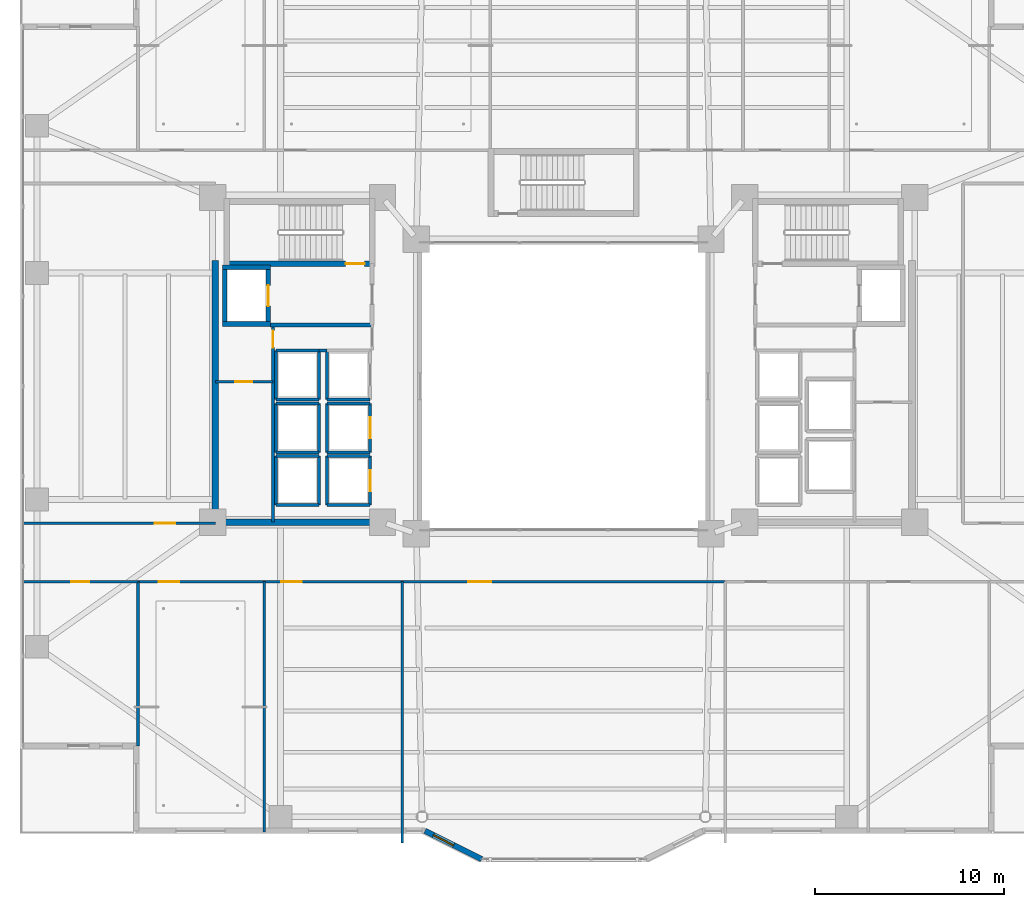
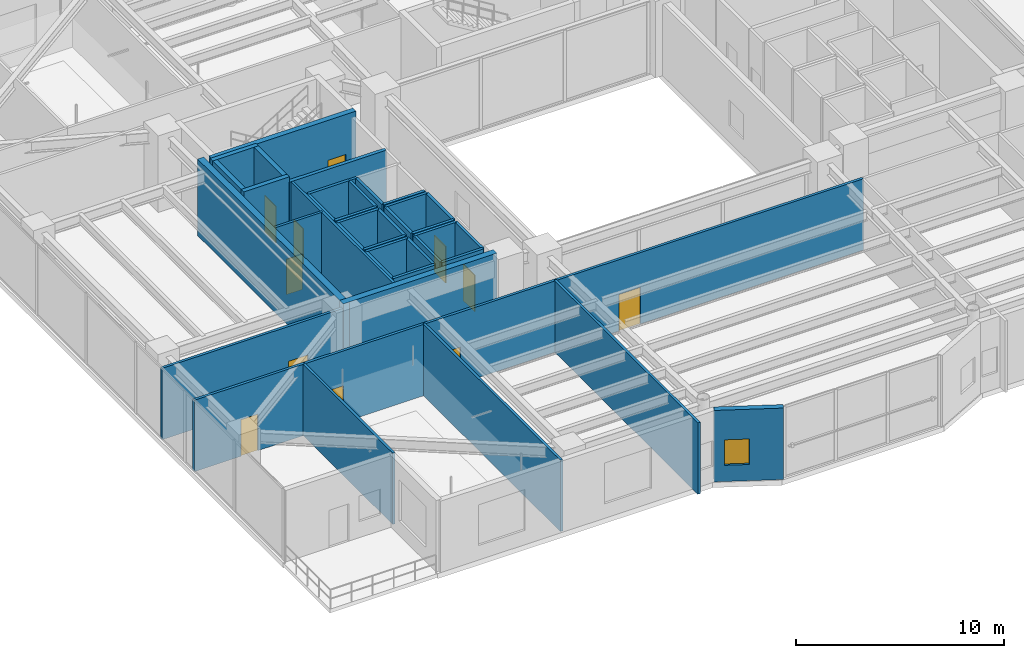
# One storey, part 29 of 40: 41 walls, 11 doors, 1 window, 12 openings.
"""IFC4 building model written with IfcOpenShell, lengths in metres."""

from ifc_helpers import new_model, si_unit, direction, frame, frame_2d, origin, place, context, subcontext, project, spatial, rectangle, extrude, material, layer, layer_set, type_object, element, fill, save


model = new_model("IFC4")

# Units and contexts
model_context = context("Model", 3, precision=1e-05, world=origin(), true_north=direction((0.0, 1.0)))
body_context = subcontext(model_context, "Body", "Model", "MODEL_VIEW")
ifc_project = project(units=[si_unit("LENGTHUNIT", "METRE"), si_unit("AREAUNIT", "SQUARE_METRE"), si_unit("VOLUMEUNIT", "CUBIC_METRE"), si_unit("PLANEANGLEUNIT", "RADIAN"), si_unit("MASSUNIT", "GRAM", prefix="KILO")], contexts=[model_context])

# Site, building, storey
site_placement = place(None, origin())
site = spatial("IfcSite", under=ifc_project, at=site_placement, CompositionType="ELEMENT")
building_placement = place(site_placement, origin())
building = spatial("IfcBuilding", under=site, at=building_placement, Name="Tarnavaz Court Tower", CompositionType="ELEMENT")
storey_placement = place(building_placement, frame((0.0, 0.0, 64.199951171875)))
storey = spatial("IfcBuildingStorey", under=building, at=storey_placement, Name="L17", CompositionType="ELEMENT", Elevation=64.199951171875)

# Wall
ifc_material_1 = material(Name="Concrete C60/75", Category="concrete")
ifc_layer_1 = layer(ifc_material_1, 0.25)
ifc_layer_set_1 = layer_set([ifc_layer_1], Name="Concrete C60/75")
wall_type_1 = type_object("IfcWallType", Name="WL-CORE-250-C60", PredefinedType="SHEAR", material=ifc_layer_set_1)
wall_1_placement = place(storey_placement, frame((-17.949951171875, 3.175048828125, 0.0), z_axis=(0.0, 0.0, 1.0), x_axis=(0.0, 1.0, 0.0)))
element("IfcWall", 1, at=wall_1_placement, inside=storey, type_object=wall_type_1, Name="L17 Lift FL-W1 Shaft Wall 017", PredefinedType="SHEAR", context=body_context, shape_type="SweptSolid", body=[
    extrude(rectangle(XDim=3.25, YDim=0.25, at=frame_2d((1.625, 0.0))), origin(), (0.0, 0.0, 1.0), 4.5),
])

# Wall, opening, door
wall_2_placement = place(storey_placement, frame((-15.64990234375, 3.175048828125, 0.0), z_axis=(0.0, 0.0, 1.0), x_axis=(0.0, 1.0, 0.0)))
wall_2 = element("IfcWall", 2, at=wall_2_placement, inside=storey, type_object=wall_type_1, Name="L17 Lift FL-W1 Shaft Wall 018", PredefinedType="SHEAR", context=body_context, shape_type="SweptSolid", body=[
    extrude(rectangle(XDim=3.25, YDim=0.25, at=frame_2d((1.625, 0.0))), origin(), (0.0, 0.0, 1.0), 4.5),
])
opening_1_placement = place(wall_2_placement, frame((1.074951171875, 0.0, 0.0)))
opening_1 = element("IfcOpeningElement", 3, at=opening_1_placement, cuts=wall_2, Name="Opening LD1", PredefinedType="OPENING", context=body_context, shape_type="SweptSolid", body=[
    extrude(rectangle(XDim=1.10009765625, YDim=2.14990234375, at=frame_2d((0.550048828125, 1.074951171875))), frame((0.0, 0.135009765625, 0.0), z_axis=(0.0, -1.0, 0.0), x_axis=(1.0, 0.0, 0.0)), (0.0, 0.0, 1.0), 0.27001953125),
])
ifc_material_2 = material(Name="Stainless Steel", Category="steel")
door_type_1 = type_object("IfcDoorType", Name="DR-LD-1100", OperationType="NOTDEFINED", PredefinedType="DOOR", material=ifc_material_2)
door_1_placement = place(opening_1_placement, origin())
door_1 = element("IfcDoor", 4, at=door_1_placement, inside=storey, type_object=door_type_1, Name="L17 Lift Landing Door LD-FL-W1", OperationType="SLIDING_TO_LEFT", OverallHeight=2.14990234375, OverallWidth=1.10009765625, PredefinedType="DOOR", context=body_context, shape_type="SweptSolid", body=[
    extrude(rectangle(XDim=1.10009765625, YDim=2.14990234375, at=frame_2d((0.550048828125, 1.074951171875))), frame((0.0, 0.02490234375, 0.0), z_axis=(0.0, -1.0, 0.0), x_axis=(1.0, 0.0, 0.0)), (0.0, 0.0, 1.0), 0.050048828125),
])
fill(opening_1, door_1)

# Walls
for number, where, z_axis, x_axis, name in (
    (5, (-18.074951171875, 3.300048828125, 0.0), (0.0, 0.0, 1.0), (1.0, 0.0, 0.0), "L17 Lift FL-W1 Shaft Wall 019"),
    (6, (-18.074951171875, 6.300048828125, 0.0), (0.0, 0.0, 1.0), (1.0, 0.0, 0.0), "L17 Lift FL-W1 Shaft Wall 020"),
):
    element("IfcWall", number, at=place(storey_placement, frame(where, z_axis=z_axis, x_axis=x_axis)), inside=storey, type_object=wall_type_1, Name=name, PredefinedType="SHEAR", context=body_context, shape_type="SweptSolid", body=[
        extrude(rectangle(XDim=2.550048828125, YDim=0.25, at=frame_2d((1.27490234375, 0.0))), origin(), (0.0, 0.0, 1.0), 4.5),
    ])

# Wall, opening, door
ifc_layer_2 = layer(ifc_material_1, 0.300048828125)
ifc_layer_set_2 = layer_set([ifc_layer_2], Name="Concrete C60/75")
wall_type_2 = type_object("IfcWallType", Name="WL-CORE-300-C60", PredefinedType="SHEAR", material=ifc_layer_set_2)
wall_3_placement = place(storey_placement, frame((-18.0, 6.5, 0.0), z_axis=(0.0, 0.0, 1.0), x_axis=(1.0, 0.0, 0.0)))
wall_3 = element("IfcWall", 7, at=wall_3_placement, inside=storey, type_object=wall_type_2, Name="L17 West Stair Core Wall 002", PredefinedType="SHEAR", context=body_context, shape_type="SweptSolid", body=[
    extrude(rectangle(XDim=8.0, YDim=0.300048828125, at=frame_2d((4.0, 0.0))), origin(), (0.0, 0.0, 1.0), 4.5),
])
opening_2_placement = place(wall_3_placement, frame((6.449951171875, 0.0, 0.0)))
opening_2 = element("IfcOpeningElement", 8, at=opening_2_placement, cuts=wall_3, Name="Opening D01", PredefinedType="OPENING", context=body_context, shape_type="SweptSolid", body=[
    extrude(rectangle(XDim=1.0, YDim=2.14990234375, at=frame_2d((0.5, 1.074951171875))), frame((0.0, 0.159912109375, 0.0), z_axis=(0.0, -1.0, 0.0), x_axis=(1.0, 0.0, 0.0)), (0.0, 0.0, 1.0), 0.320068359375),
])
ifc_material_3 = material(Name="Fire-Rated Hardwood Timber Core", Category="wood")
door_type_2 = type_object("IfcDoorType", Name="DR-FD90-1000", OperationType="NOTDEFINED", PredefinedType="DOOR", material=ifc_material_3)
door_2_placement = place(opening_2_placement, origin())
door_2 = element("IfcDoor", 9, at=door_2_placement, inside=storey, type_object=door_type_2, Name="L17 Stair ST-W1 Exit Door", OperationType="SINGLE_SWING_LEFT", OverallHeight=2.14990234375, OverallWidth=1.0, PredefinedType="DOOR", context=body_context, shape_type="SweptSolid", body=[
    extrude(rectangle(XDim=1.0, YDim=2.14990234375, at=frame_2d((0.5, 1.074951171875))), frame((0.0, 0.02490234375, 0.0), z_axis=(0.0, -1.0, 0.0), x_axis=(1.0, 0.0, 0.0)), (0.0, 0.0, 1.0), 0.050048828125),
])
fill(opening_2, door_2)

# Walls
ifc_layer_3 = layer(ifc_material_1, 0.35009765625)
ifc_layer_set_3 = layer_set([ifc_layer_3], Name="Concrete C60/75")
wall_type_3 = type_object("IfcWallType", Name="WL-CORE-350-C60", PredefinedType="SHEAR", material=ifc_layer_set_3)
wall_4_placement = place(storey_placement, frame((-18.449951171875, -7.375, 0.0), z_axis=(0.0, 0.0, 1.0), x_axis=(0.0, 1.0, 0.0)))
element("IfcWall", 10, at=wall_4_placement, inside=storey, type_object=wall_type_3, Name="L17 West Core Shear Wall 069", PredefinedType="SHEAR", context=body_context, shape_type="SweptSolid", body=[
    extrude(rectangle(XDim=14.050048828125, YDim=0.35009765625, at=frame_2d((7.02490234375, 0.0))), origin(), (0.0, 0.0, 1.0), 4.5),
])
wall_5_placement = place(storey_placement, frame((-18.625, -7.199951171875, 0.0), z_axis=(0.0, 0.0, 1.0), x_axis=(1.0, 0.0, 0.0)))
element("IfcWall", 11, at=wall_5_placement, inside=storey, type_object=wall_type_3, Name="L17 West Core South Shear Wall 070", PredefinedType="SHEAR", context=body_context, shape_type="SweptSolid", body=[
    extrude(rectangle(XDim=8.550048828125, YDim=0.35009765625, at=frame_2d((4.27490234375, 0.0))), origin(), (0.0, 0.0, 1.0), 4.5),
])

# Wall, opening, window
ifc_material_4 = material(Name="Precast Concrete C40/50", Category="concrete")
ifc_layer_4 = layer(ifc_material_4, 0.300048828125)
ifc_layer_set_4 = layer_set([ifc_layer_4], Name="Precast Concrete C40/50")
wall_type_4 = type_object("IfcWallType", Name="WL-EXT-300", PredefinedType="SOLIDWALL", material=ifc_layer_set_4)
wall_6_placement = place(storey_placement, frame((-4.35009765625, -25.050048828125, 0.0), z_axis=(0.0, 0.0, 1.0), x_axis=(-0.894427191, 0.4472135955, 0.0)))
wall_6 = element("IfcWall", 12, at=wall_6_placement, inside=storey, type_object=wall_type_4, Name="L17 Exterior Terracotta Facade Wall 18", PredefinedType="SOLIDWALL", context=body_context, shape_type="SweptSolid", body=[
    extrude(rectangle(XDim=3.35400390625, YDim=0.300048828125, at=frame_2d((1.677001953125, 0.0))), origin(), (0.0, 0.0, 1.0), 4.199951171875),
])
opening_3_placement = place(wall_6_placement, frame((1.65283203125, 0.0, 0.949951171875)))
opening_3 = element("IfcOpeningElement", 13, at=opening_3_placement, cuts=wall_6, Name="Opening W05", PredefinedType="OPENING", context=body_context, shape_type="SweptSolid", body=[
    extrude(rectangle(XDim=1.199951171875, YDim=1.5, at=frame_2d((0.60009765625, 0.75))), frame((0.0, 0.159912109375, 0.0), z_axis=(0.0, -1.0, 0.0), x_axis=(1.0, 0.0, 0.0)), (0.0, 0.0, 1.0), 0.320068359375),
])
ifc_material_5 = material(Name="Double-Glazed Solar Low-E Glass", Category="glass")
window_type = type_object("IfcWindowType", Name="WN-APT-1200", PartitioningType="SINGLE_PANEL", PredefinedType="WINDOW", material=ifc_material_5)
window_placement = place(opening_3_placement, origin())
window = element("IfcWindow", 14, at=window_placement, inside=storey, type_object=window_type, Name="L17 L17 Central Iwan Cultural Exhibition Hall Window", OverallHeight=1.5, OverallWidth=1.199951171875, PartitioningType="SINGLE_PANEL", PredefinedType="WINDOW", context=body_context, shape_type="SweptSolid", body=[
    extrude(rectangle(XDim=1.199951171875, YDim=1.5, at=frame_2d((0.60009765625, 0.75))), frame((0.0, 0.030029296875, 0.0), z_axis=(0.0, -1.0, 0.0), x_axis=(1.0, 0.0, 0.0)), (0.0, 0.0, 1.0), 0.06005859375),
])
fill(opening_3, window)

# Wall, openings, doors
ifc_material_6 = material(Name="Gypsum Fire-Board on Acoustic Metal Stud", Category="masonry")
ifc_layer_5 = layer(ifc_material_6, 0.14990234375)
ifc_layer_set_5 = layer_set([ifc_layer_5], Name="Gypsum Fire-Board on Acoustic Metal Stud")
wall_type_5 = type_object("IfcWallType", Name="WL-FIRE-150", PredefinedType="PARTITIONING", material=ifc_layer_set_5)
wall_7_placement = place(storey_placement, frame((-22.550048828125, -10.35009765625, 0.0), z_axis=(0.0, 0.0, 1.0), x_axis=(1.0, 0.0, 0.0)))
wall_7 = element("IfcWall", 15, at=wall_7_placement, inside=storey, type_object=wall_type_5, Name="L17 SW Corridor Wall 084", PredefinedType="PARTITIONING", context=body_context, shape_type="SweptSolid", body=[
    extrude(rectangle(XDim=14.0, YDim=0.14990234375, at=frame_2d((7.0, 0.0))), origin(), (0.0, 0.0, 1.0), 4.199951171875),
])
opening_4_placement = place(wall_7_placement, frame((1.10009765625, 0.0, 0.0)))
opening_4 = element("IfcOpeningElement", 16, at=opening_4_placement, cuts=wall_7, Name="Opening D12", PredefinedType="OPENING", context=body_context, shape_type="SweptSolid", body=[
    extrude(rectangle(XDim=1.080078125, YDim=2.14990234375, at=frame_2d((0.5400390625, 1.074951171875))), frame((0.0, 0.0849609375, 0.0), z_axis=(0.0, -1.0, 0.0), x_axis=(1.0, 0.0, 0.0)), (0.0, 0.0, 1.0), 0.169921875),
])
opening_5_placement = place(wall_7_placement, frame((7.595947265625, 0.0, 0.0)))
opening_5 = element("IfcOpeningElement", 17, at=opening_5_placement, cuts=wall_7, Name="Opening D12", PredefinedType="OPENING", context=body_context, shape_type="SweptSolid", body=[
    extrude(rectangle(XDim=1.080078125, YDim=2.14990234375, at=frame_2d((0.5400390625, 1.074951171875))), frame((0.0, 0.0849609375, 0.0), z_axis=(0.0, -1.0, 0.0), x_axis=(1.0, 0.0, 0.0)), (0.0, 0.0, 1.0), 0.169921875),
])
ifc_material_7 = material(Name="Engineered Oak Timber", Category="wood")
door_type_3 = type_object("IfcDoorType", Name="DR-INT-1100", OperationType="NOTDEFINED", PredefinedType="DOOR", material=ifc_material_7)
door_3_placement = place(opening_4_placement, origin())
door_3 = element("IfcDoor", 18, at=door_3_placement, inside=storey, type_object=door_type_3, Name="L17 L17 Daycare Classroom Door", OperationType="SINGLE_SWING_LEFT", OverallHeight=2.14990234375, OverallWidth=1.080078125, PredefinedType="DOOR", context=body_context, shape_type="SweptSolid", body=[
    extrude(rectangle(XDim=1.080078125, YDim=2.14990234375, at=frame_2d((0.5400390625, 1.074951171875))), frame((0.0, 0.02490234375, 0.0), z_axis=(0.0, -1.0, 0.0), x_axis=(1.0, 0.0, 0.0)), (0.0, 0.0, 1.0), 0.050048828125),
])
fill(opening_4, door_3)
door_4_placement = place(opening_5_placement, origin())
door_4 = element("IfcDoor", 19, at=door_4_placement, inside=storey, type_object=door_type_3, Name="L17 SW Study Room Door", OperationType="SINGLE_SWING_RIGHT", OverallHeight=2.14990234375, OverallWidth=1.080078125, PredefinedType="DOOR", context=body_context, shape_type="SweptSolid", body=[
    extrude(rectangle(XDim=1.080078125, YDim=2.14990234375, at=frame_2d((0.5400390625, 1.074951171875))), frame((0.0, 0.02490234375, 0.0), z_axis=(0.0, -1.0, 0.0), x_axis=(1.0, 0.0, 0.0)), (0.0, 0.0, 1.0), 0.050048828125),
])
fill(opening_5, door_4)

# Wall, opening, door
wall_8_placement = place(storey_placement, frame((-8.550048828125, -10.35009765625, 0.0), z_axis=(0.0, 0.0, 1.0), x_axis=(1.0, 0.0, 0.0)))
wall_8 = element("IfcWall", 20, at=wall_8_placement, inside=storey, type_object=wall_type_5, Name="L17 South Ring Corridor Wall 085", PredefinedType="PARTITIONING", context=body_context, shape_type="SweptSolid", body=[
    extrude(rectangle(XDim=17.10009765625, YDim=0.14990234375, at=frame_2d((8.550048828125, 0.0))), origin(), (0.0, 0.0, 1.0), 4.199951171875),
])
opening_6_placement = place(wall_8_placement, frame((3.5, 0.0, 0.0)))
opening_6 = element("IfcOpeningElement", 21, at=opening_6_placement, cuts=wall_8, Name="Opening D11", PredefinedType="OPENING", context=body_context, shape_type="SweptSolid", body=[
    extrude(rectangle(XDim=1.199951171875, YDim=2.14990234375, at=frame_2d((0.60009765625, 1.074951171875))), frame((0.0, 0.0849609375, 0.0), z_axis=(0.0, -1.0, 0.0), x_axis=(1.0, 0.0, 0.0)), (0.0, 0.0, 1.0), 0.169921875),
])
door_type_4 = type_object("IfcDoorType", Name="DR-INT-1200", OperationType="NOTDEFINED", PredefinedType="DOOR", material=ifc_material_7)
door_5_placement = place(opening_6_placement, origin())
door_5 = element("IfcDoor", 22, at=door_5_placement, inside=storey, type_object=door_type_4, Name="L17 Central Iwan Hall Door", OperationType="SINGLE_SWING_LEFT", OverallHeight=2.14990234375, OverallWidth=1.199951171875, PredefinedType="DOOR", context=body_context, shape_type="SweptSolid", body=[
    extrude(rectangle(XDim=1.199951171875, YDim=2.14990234375, at=frame_2d((0.60009765625, 1.074951171875))), frame((0.0, 0.02490234375, 0.0), z_axis=(0.0, -1.0, 0.0), x_axis=(1.0, 0.0, 0.0)), (0.0, 0.0, 1.0), 0.050048828125),
])
fill(opening_6, door_5)

wall_9_placement = place(storey_placement, frame((-28.679931640625, -7.25, 0.0), z_axis=(0.0, 0.0, 1.0), x_axis=(1.0, 0.0, 0.0)))
wall_9 = element("IfcWall", 23, at=wall_9_placement, inside=storey, type_object=wall_type_5, Name="L17 Interior Partition 097", PredefinedType="PARTITIONING", context=body_context, shape_type="SweptSolid", body=[
    extrude(rectangle(XDim=10.22998046875, YDim=0.14990234375, at=frame_2d((5.114990234375, 0.0))), origin(), (0.0, 0.0, 1.0), 4.199951171875),
])
opening_7_placement = place(wall_9_placement, frame((7.030029296875, 0.0, 0.0)))
opening_7 = element("IfcOpeningElement", 24, at=opening_7_placement, cuts=wall_9, Name="Opening D12", PredefinedType="OPENING", context=body_context, shape_type="SweptSolid", body=[
    extrude(rectangle(XDim=1.080078125, YDim=2.14990234375, at=frame_2d((0.5400390625, 1.074951171875))), frame((0.0, 0.0849609375, 0.0), z_axis=(0.0, -1.0, 0.0), x_axis=(1.0, 0.0, 0.0)), (0.0, 0.0, 1.0), 0.169921875),
])
door_6_placement = place(opening_7_placement, origin())
door_6 = element("IfcDoor", 25, at=door_6_placement, inside=storey, type_object=door_type_3, Name="L17 West Panoramic Lounge Door", OperationType="SINGLE_SWING_RIGHT", OverallHeight=2.14990234375, OverallWidth=1.080078125, PredefinedType="DOOR", context=body_context, shape_type="SweptSolid", body=[
    extrude(rectangle(XDim=1.080078125, YDim=2.14990234375, at=frame_2d((0.5400390625, 1.074951171875))), frame((0.0, 0.02490234375, 0.0), z_axis=(0.0, -1.0, 0.0), x_axis=(1.0, 0.0, 0.0)), (0.0, 0.0, 1.0), 0.050048828125),
])
fill(opening_7, door_6)

wall_10_placement = place(storey_placement, frame((-28.679931640625, -10.35009765625, 0.0), z_axis=(0.0, 0.0, 1.0), x_axis=(1.0, 0.0, 0.0)))
wall_10 = element("IfcWall", 26, at=wall_10_placement, inside=storey, type_object=wall_type_5, Name="L17 Interior Partition 107", PredefinedType="PARTITIONING", context=body_context, shape_type="SweptSolid", body=[
    extrude(rectangle(XDim=6.1298828125, YDim=0.14990234375, at=frame_2d((3.06494140625, 0.0))), origin(), (0.0, 0.0, 1.0), 4.199951171875),
])
opening_8_placement = place(wall_10_placement, frame((2.590087890625, 0.0, 0.0)))
opening_8 = element("IfcOpeningElement", 27, at=opening_8_placement, cuts=wall_10, Name="Opening D13", PredefinedType="OPENING", context=body_context, shape_type="SweptSolid", body=[
    extrude(rectangle(XDim=0.949951171875, YDim=2.14990234375, at=frame_2d((0.47509765625, 1.074951171875))), frame((0.0, 0.0849609375, 0.0), z_axis=(0.0, -1.0, 0.0), x_axis=(1.0, 0.0, 0.0)), (0.0, 0.0, 1.0), 0.169921875),
])
door_type_5 = type_object("IfcDoorType", Name="DR-INT-950", OperationType="NOTDEFINED", PredefinedType="DOOR", material=ifc_material_7)
door_7_placement = place(opening_8_placement, origin())
door_7 = element("IfcDoor", 28, at=door_7_placement, inside=storey, type_object=door_type_5, Name="L17 SW Terrace Salon Door", OperationType="SINGLE_SWING_RIGHT", OverallHeight=2.14990234375, OverallWidth=0.949951171875, PredefinedType="DOOR", context=body_context, shape_type="SweptSolid", body=[
    extrude(rectangle(XDim=0.949951171875, YDim=2.14990234375, at=frame_2d((0.47509765625, 1.074951171875))), frame((0.0, 0.02490234375, 0.0), z_axis=(0.0, -1.0, 0.0), x_axis=(1.0, 0.0, 0.0)), (0.0, 0.0, 1.0), 0.050048828125),
])
fill(opening_8, door_7)

# Walls
ifc_material_8 = material(Name="Autoclaved Aerated Concrete Blockwork", Category="masonry")
ifc_layer_6 = layer(ifc_material_8, 0.199951171875)
ifc_layer_set_6 = layer_set([ifc_layer_6], Name="Autoclaved Aerated Concrete Blockwork")
wall_type_6 = type_object("IfcWallType", Name="WL-FIRE-200", PredefinedType="SOLIDWALL", material=ifc_layer_set_6)
wall_11_placement = place(storey_placement, frame((-15.550048828125, 3.25, 0.0), z_axis=(0.0, 0.0, 1.0), x_axis=(1.0, 0.0, 0.0)))
element("IfcWall", 29, at=wall_11_placement, inside=storey, type_object=wall_type_6, Name="L17 West Firefighting Lobby Wall 013", PredefinedType="SOLIDWALL", context=body_context, shape_type="SweptSolid", body=[
    extrude(rectangle(XDim=5.400146484375, YDim=0.199951171875, at=frame_2d((2.7001953125, 0.0))), origin(), (0.0, 0.0, 1.0), 4.199951171875),
])
ifc_material_9 = material(Name="Gypsum Plasterboard Acoustic Partition", Category="masonry")
ifc_layer_7 = layer(ifc_material_9, 0.139892578125)
ifc_layer_set_7 = layer_set([ifc_layer_7], Name="Gypsum Plasterboard Acoustic Partition")
wall_type_7 = type_object("IfcWallType", Name="WL-PART-150", PredefinedType="PARTITIONING", material=ifc_layer_set_7)
wall_12_placement = place(storey_placement, frame((-12.949951171875, 1.89990234375, 0.0), z_axis=(0.0, 0.0, 1.0), x_axis=(1.0, 0.0, 0.0)))
element("IfcWall", 30, at=wall_12_placement, inside=storey, type_object=wall_type_7, Name="L17 Interior Partition 073", PredefinedType="PARTITIONING", context=body_context, shape_type="SweptSolid", body=[
    extrude(rectangle(XDim=0.39990234375, YDim=0.139892578125, at=frame_2d((0.199951171875, 0.0))), origin(), (0.0, 0.0, 1.0), 4.199951171875),
])

# Wall, opening, door
wall_13_placement = place(storey_placement, frame((-15.39990234375, -7.199951171875, 0.0), z_axis=(0.0, 0.0, 1.0), x_axis=(0.0, 1.0, 0.0)))
wall_13 = element("IfcWall", 31, at=wall_13_placement, inside=storey, type_object=wall_type_7, Name="L17 Interior Partition 075", PredefinedType="PARTITIONING", context=body_context, shape_type="SweptSolid", body=[
    extrude(rectangle(XDim=10.449951171875, YDim=0.139892578125, at=frame_2d((5.22509765625, 0.0))), origin(), (0.0, 0.0, 1.0), 4.199951171875),
])
opening_9_placement = place(wall_13_placement, frame((9.25, 0.0, 0.0)))
opening_9 = element("IfcOpeningElement", 32, at=opening_9_placement, cuts=wall_13, Name="Opening D09", PredefinedType="OPENING", context=body_context, shape_type="SweptSolid", body=[
    extrude(rectangle(XDim=0.89990234375, YDim=2.080078125, at=frame_2d((0.449951171875, 1.0400390625))), frame((0.0, 0.079833984375, 0.0), z_axis=(0.0, -1.0, 0.0), x_axis=(1.0, 0.0, 0.0)), (0.0, 0.0, 1.0), 0.159912109375),
])
door_type_6 = type_object("IfcDoorType", Name="DR-FD30-900", OperationType="NOTDEFINED", PredefinedType="DOOR", material=ifc_material_3)
door_8_placement = place(opening_9_placement, origin())
door_8 = element("IfcDoor", 33, at=door_8_placement, inside=storey, type_object=door_type_6, Name="L17 West Data Room Door", OperationType="SINGLE_SWING_RIGHT", OverallHeight=2.080078125, OverallWidth=0.89990234375, PredefinedType="DOOR", context=body_context, shape_type="SweptSolid", body=[
    extrude(rectangle(XDim=0.89990234375, YDim=2.080078125, at=frame_2d((0.449951171875, 1.0400390625))), frame((0.0, 0.02490234375, 0.0), z_axis=(0.0, -1.0, 0.0), x_axis=(1.0, 0.0, 0.0)), (0.0, 0.0, 1.0), 0.050048828125),
])
fill(opening_9, door_8)

wall_14_placement = place(storey_placement, frame((-18.449951171875, 0.25, 0.0), z_axis=(0.0, 0.0, 1.0), x_axis=(1.0, 0.0, 0.0)))
wall_14 = element("IfcWall", 34, at=wall_14_placement, inside=storey, type_object=wall_type_7, Name="L17 Interior Partition 076", PredefinedType="PARTITIONING", context=body_context, shape_type="SweptSolid", body=[
    extrude(rectangle(XDim=3.050048828125, YDim=0.139892578125, at=frame_2d((1.52490234375, 0.0))), origin(), (0.0, 0.0, 1.0), 4.199951171875),
])
opening_10_placement = place(wall_14_placement, frame((1.050048828125, 0.0, 0.0)))
opening_10 = element("IfcOpeningElement", 35, at=opening_10_placement, cuts=wall_14, Name="Opening D09", PredefinedType="OPENING", context=body_context, shape_type="SweptSolid", body=[
    extrude(rectangle(XDim=0.89990234375, YDim=2.080078125, at=frame_2d((0.449951171875, 1.0400390625))), frame((0.0, 0.079833984375, 0.0), z_axis=(0.0, -1.0, 0.0), x_axis=(1.0, 0.0, 0.0)), (0.0, 0.0, 1.0), 0.159912109375),
])
door_9_placement = place(opening_10_placement, origin())
door_9 = element("IfcDoor", 36, at=door_9_placement, inside=storey, type_object=door_type_6, Name="L17 West Mechanical Riser Door", OperationType="SINGLE_SWING_LEFT", OverallHeight=2.080078125, OverallWidth=0.89990234375, PredefinedType="DOOR", context=body_context, shape_type="SweptSolid", body=[
    extrude(rectangle(XDim=0.89990234375, YDim=2.080078125, at=frame_2d((0.449951171875, 1.0400390625))), frame((0.0, 0.02490234375, 0.0), z_axis=(0.0, -1.0, 0.0), x_axis=(1.0, 0.0, 0.0)), (0.0, 0.0, 1.0), 0.050048828125),
])
fill(opening_10, door_9)

# Walls
wall_15_placement = place(storey_placement, frame((-15.85400390625, -23.60009765625, 0.0), z_axis=(0.0, 0.0, 1.0), x_axis=(0.0, 1.0, 0.0)))
element("IfcWall", 37, at=wall_15_placement, inside=storey, type_object=wall_type_7, Name="L17 Interior Partition 093", PredefinedType="PARTITIONING", context=body_context, shape_type="SweptSolid", body=[
    extrude(rectangle(XDim=13.25, YDim=0.139892578125, at=frame_2d((6.625, 0.0))), origin(), (0.0, 0.0, 1.0), 4.199951171875),
])
wall_16_placement = place(storey_placement, frame((-8.550048828125, -24.2041015625, 0.0), z_axis=(0.0, 0.0, 1.0), x_axis=(0.0, 1.0, 0.0)))
element("IfcWall", 38, at=wall_16_placement, inside=storey, type_object=wall_type_7, Name="L17 Interior Partition 094", PredefinedType="PARTITIONING", context=body_context, shape_type="SweptSolid", body=[
    extrude(rectangle(XDim=13.85400390625, YDim=0.139892578125, at=frame_2d((6.927001953125, 0.0))), origin(), (0.0, 0.0, 1.0), 4.199951171875),
])
wall_17_placement = place(storey_placement, frame((-22.550048828125, -19.050048828125, 0.0), z_axis=(0.0, 0.0, 1.0), x_axis=(0.0, 1.0, 0.0)))
element("IfcWall", 39, at=wall_17_placement, inside=storey, type_object=wall_type_7, Name="L17 Interior Partition 101", PredefinedType="PARTITIONING", context=body_context, shape_type="SweptSolid", body=[
    extrude(rectangle(XDim=8.699951171875, YDim=0.139892578125, at=frame_2d((4.35009765625, 0.0))), origin(), (0.0, 0.0, 1.0), 4.199951171875),
])
ifc_layer_8 = layer(ifc_material_8, 0.159912109375)
ifc_layer_set_8 = layer_set([ifc_layer_8], Name="Autoclaved Aerated Concrete Blockwork")
wall_type_8 = type_object("IfcWallType", Name="WL-SHAFT-150", PredefinedType="SOLIDWALL", material=ifc_layer_set_8)
wall_18_placement = place(storey_placement, frame((-12.550048828125, -6.300048828125, 0.0), z_axis=(0.0, 0.0, 1.0), x_axis=(0.0, 1.0, 0.0)))
element("IfcWall", 40, at=wall_18_placement, inside=storey, type_object=wall_type_8, Name="L17 Lift PL-L1 Shaft Wall 021", PredefinedType="SOLIDWALL", context=body_context, shape_type="SweptSolid", body=[
    extrude(rectangle(XDim=2.60009765625, YDim=0.159912109375, at=frame_2d((1.300048828125, 0.0))), origin(), (0.0, 0.0, 1.0), 4.199951171875),
])

# Wall, opening, door
wall_19_placement = place(storey_placement, frame((-10.25, -6.300048828125, 0.0), z_axis=(0.0, 0.0, 1.0), x_axis=(0.0, 1.0, 0.0)))
wall_19 = element("IfcWall", 41, at=wall_19_placement, inside=storey, type_object=wall_type_8, Name="L17 Lift PL-L1 Shaft Wall 022", PredefinedType="SOLIDWALL", context=body_context, shape_type="SweptSolid", body=[
    extrude(rectangle(XDim=2.60009765625, YDim=0.159912109375, at=frame_2d((1.300048828125, 0.0))), origin(), (0.0, 0.0, 1.0), 4.199951171875),
])
opening_11_placement = place(wall_19_placement, frame((0.75, 0.0, 0.0)))
opening_11 = element("IfcOpeningElement", 42, at=opening_11_placement, cuts=wall_19, Name="Opening LD1", PredefinedType="OPENING", context=body_context, shape_type="SweptSolid", body=[
    extrude(rectangle(XDim=1.10009765625, YDim=2.14990234375, at=frame_2d((0.550048828125, 1.074951171875))), frame((0.0, 0.08984375, 0.0), z_axis=(0.0, -1.0, 0.0), x_axis=(1.0, 0.0, 0.0)), (0.0, 0.0, 1.0), 0.179931640625),
])
door_10_placement = place(opening_11_placement, origin())
door_10 = element("IfcDoor", 43, at=door_10_placement, inside=storey, type_object=door_type_1, Name="L17 Lift Landing Door LD-PL-L1", OperationType="SLIDING_TO_LEFT", OverallHeight=2.14990234375, OverallWidth=1.10009765625, PredefinedType="DOOR", context=body_context, shape_type="SweptSolid", body=[
    extrude(rectangle(XDim=1.10009765625, YDim=2.14990234375, at=frame_2d((0.550048828125, 1.074951171875))), frame((0.0, 0.02490234375, 0.0), z_axis=(0.0, -1.0, 0.0), x_axis=(1.0, 0.0, 0.0)), (0.0, 0.0, 1.0), 0.050048828125),
])
fill(opening_11, door_10)

# Walls
for number, where, z_axis, x_axis, name in (
    (44, (-12.550048828125, -6.300048828125, 0.0), (0.0, 0.0, 1.0), (1.0, 0.0, 0.0), "L17 Lift PL-L1 Shaft Wall 023"),
    (45, (-12.550048828125, -3.699951171875, 0.0), (0.0, 0.0, 1.0), (1.0, 0.0, 0.0), "L17 Lift PL-L1 Shaft Wall 024"),
):
    element("IfcWall", number, at=place(storey_placement, frame(where, z_axis=z_axis, x_axis=x_axis)), inside=storey, type_object=wall_type_8, Name=name, PredefinedType="SOLIDWALL", context=body_context, shape_type="SweptSolid", body=[
        extrude(rectangle(XDim=2.300048828125, YDim=0.159912109375, at=frame_2d((1.14990234375, 0.0))), origin(), (0.0, 0.0, 1.0), 4.199951171875),
    ])
wall_20_placement = place(storey_placement, frame((-12.550048828125, -3.5, 0.0), z_axis=(0.0, 0.0, 1.0), x_axis=(0.0, 1.0, 0.0)))
element("IfcWall", 46, at=wall_20_placement, inside=storey, type_object=wall_type_8, Name="L17 Lift PL-L2 Shaft Wall 025", PredefinedType="SOLIDWALL", context=body_context, shape_type="SweptSolid", body=[
    extrude(rectangle(XDim=2.60009765625, YDim=0.159912109375, at=frame_2d((1.300048828125, 0.0))), origin(), (0.0, 0.0, 1.0), 4.199951171875),
])

# Wall, opening, door
wall_21_placement = place(storey_placement, frame((-10.25, -3.5, 0.0), z_axis=(0.0, 0.0, 1.0), x_axis=(0.0, 1.0, 0.0)))
wall_21 = element("IfcWall", 47, at=wall_21_placement, inside=storey, type_object=wall_type_8, Name="L17 Lift PL-L2 Shaft Wall 026", PredefinedType="SOLIDWALL", context=body_context, shape_type="SweptSolid", body=[
    extrude(rectangle(XDim=2.60009765625, YDim=0.159912109375, at=frame_2d((1.300048828125, 0.0))), origin(), (0.0, 0.0, 1.0), 4.199951171875),
])
opening_12_placement = place(wall_21_placement, frame((0.75, 0.0, 0.0)))
opening_12 = element("IfcOpeningElement", 48, at=opening_12_placement, cuts=wall_21, Name="Opening LD1", PredefinedType="OPENING", context=body_context, shape_type="SweptSolid", body=[
    extrude(rectangle(XDim=1.10009765625, YDim=2.14990234375, at=frame_2d((0.550048828125, 1.074951171875))), frame((0.0, 0.08984375, 0.0), z_axis=(0.0, -1.0, 0.0), x_axis=(1.0, 0.0, 0.0)), (0.0, 0.0, 1.0), 0.179931640625),
])
door_11_placement = place(opening_12_placement, origin())
door_11 = element("IfcDoor", 49, at=door_11_placement, inside=storey, type_object=door_type_1, Name="L17 Lift Landing Door LD-PL-L2", OperationType="SLIDING_TO_LEFT", OverallHeight=2.14990234375, OverallWidth=1.10009765625, PredefinedType="DOOR", context=body_context, shape_type="SweptSolid", body=[
    extrude(rectangle(XDim=1.10009765625, YDim=2.14990234375, at=frame_2d((0.550048828125, 1.074951171875))), frame((0.0, 0.02490234375, 0.0), z_axis=(0.0, -1.0, 0.0), x_axis=(1.0, 0.0, 0.0)), (0.0, 0.0, 1.0), 0.050048828125),
])
fill(opening_12, door_11)

# Walls
for number, where, z_axis, x_axis, name in (
    (50, (-12.550048828125, -3.5, 0.0), (0.0, 0.0, 1.0), (1.0, 0.0, 0.0), "L17 Lift PL-L2 Shaft Wall 027"),
    (51, (-12.550048828125, -0.89990234375, 0.0), (0.0, 0.0, 1.0), (1.0, 0.0, 0.0), "L17 Lift PL-L2 Shaft Wall 028"),
):
    element("IfcWall", number, at=place(storey_placement, frame(where, z_axis=z_axis, x_axis=x_axis)), inside=storey, type_object=wall_type_8, Name=name, PredefinedType="SOLIDWALL", context=body_context, shape_type="SweptSolid", body=[
        extrude(rectangle(XDim=2.300048828125, YDim=0.159912109375, at=frame_2d((1.14990234375, 0.0))), origin(), (0.0, 0.0, 1.0), 4.199951171875),
    ])
wall_22_placement = place(storey_placement, frame((-12.550048828125, -0.699951171875, 0.0), z_axis=(0.0, 0.0, 1.0), x_axis=(0.0, 1.0, 0.0)))
element("IfcWall", 52, at=wall_22_placement, inside=storey, type_object=wall_type_8, Name="L17 Lift PL-L3 Shaft Wall 029", PredefinedType="SOLIDWALL", context=body_context, shape_type="SweptSolid", body=[
    extrude(rectangle(XDim=2.599853515625, YDim=0.159912109375, at=frame_2d((1.2998046875, 0.0))), origin(), (0.0, 0.0, 1.0), 4.199951171875),
])
wall_23_placement = place(storey_placement, frame((-12.550048828125, -0.699951171875, 0.0), z_axis=(0.0, 0.0, 1.0), x_axis=(1.0, 0.0, 0.0)))
element("IfcWall", 53, at=wall_23_placement, inside=storey, type_object=wall_type_8, Name="L17 Lift PL-L3 Shaft Wall 031", PredefinedType="SOLIDWALL", context=body_context, shape_type="SweptSolid", body=[
    extrude(rectangle(XDim=2.300048828125, YDim=0.159912109375, at=frame_2d((1.14990234375, 0.0))), origin(), (0.0, 0.0, 1.0), 4.199951171875),
])
for number, where, z_axis, x_axis, name in (
    (54, (-15.25, -6.300048828125, 0.0), (0.0, 0.0, 1.0), (0.0, 1.0, 0.0), "L17 Lift PL-H1 Shaft Wall 033"),
    (55, (-12.949951171875, -6.300048828125, 0.0), (0.0, 0.0, 1.0), (0.0, 1.0, 0.0), "L17 Lift PL-H1 Shaft Wall 034"),
):
    element("IfcWall", number, at=place(storey_placement, frame(where, z_axis=z_axis, x_axis=x_axis)), inside=storey, type_object=wall_type_8, Name=name, PredefinedType="SOLIDWALL", context=body_context, shape_type="SweptSolid", body=[
        extrude(rectangle(XDim=2.60009765625, YDim=0.159912109375, at=frame_2d((1.300048828125, 0.0))), origin(), (0.0, 0.0, 1.0), 4.199951171875),
    ])
for number, where, z_axis, x_axis, name in (
    (56, (-15.25, -6.300048828125, 0.0), (0.0, 0.0, 1.0), (1.0, 0.0, 0.0), "L17 Lift PL-H1 Shaft Wall 035"),
    (57, (-15.25, -3.699951171875, 0.0), (0.0, 0.0, 1.0), (1.0, 0.0, 0.0), "L17 Lift PL-H1 Shaft Wall 036"),
):
    element("IfcWall", number, at=place(storey_placement, frame(where, z_axis=z_axis, x_axis=x_axis)), inside=storey, type_object=wall_type_8, Name=name, PredefinedType="SOLIDWALL", context=body_context, shape_type="SweptSolid", body=[
        extrude(rectangle(XDim=2.300048828125, YDim=0.159912109375, at=frame_2d((1.14990234375, 0.0))), origin(), (0.0, 0.0, 1.0), 4.199951171875),
    ])
for number, where, z_axis, x_axis, name in (
    (58, (-15.25, -3.5, 0.0), (0.0, 0.0, 1.0), (0.0, 1.0, 0.0), "L17 Lift PL-H2 Shaft Wall 037"),
    (59, (-12.949951171875, -3.5, 0.0), (0.0, 0.0, 1.0), (0.0, 1.0, 0.0), "L17 Lift PL-H2 Shaft Wall 038"),
):
    element("IfcWall", number, at=place(storey_placement, frame(where, z_axis=z_axis, x_axis=x_axis)), inside=storey, type_object=wall_type_8, Name=name, PredefinedType="SOLIDWALL", context=body_context, shape_type="SweptSolid", body=[
        extrude(rectangle(XDim=2.60009765625, YDim=0.159912109375, at=frame_2d((1.300048828125, 0.0))), origin(), (0.0, 0.0, 1.0), 4.199951171875),
    ])
for number, where, z_axis, x_axis, name in (
    (60, (-15.25, -3.5, 0.0), (0.0, 0.0, 1.0), (1.0, 0.0, 0.0), "L17 Lift PL-H2 Shaft Wall 039"),
    (61, (-15.25, -0.89990234375, 0.0), (0.0, 0.0, 1.0), (1.0, 0.0, 0.0), "L17 Lift PL-H2 Shaft Wall 040"),
):
    element("IfcWall", number, at=place(storey_placement, frame(where, z_axis=z_axis, x_axis=x_axis)), inside=storey, type_object=wall_type_8, Name=name, PredefinedType="SOLIDWALL", context=body_context, shape_type="SweptSolid", body=[
        extrude(rectangle(XDim=2.300048828125, YDim=0.159912109375, at=frame_2d((1.14990234375, 0.0))), origin(), (0.0, 0.0, 1.0), 4.199951171875),
    ])
for number, where, z_axis, x_axis, name in (
    (62, (-15.25, -0.699951171875, 0.0), (0.0, 0.0, 1.0), (0.0, 1.0, 0.0), "L17 Lift PL-H3 Shaft Wall 041"),
    (63, (-12.949951171875, -0.699951171875, 0.0), (0.0, 0.0, 1.0), (0.0, 1.0, 0.0), "L17 Lift PL-H3 Shaft Wall 042"),
):
    element("IfcWall", number, at=place(storey_placement, frame(where, z_axis=z_axis, x_axis=x_axis)), inside=storey, type_object=wall_type_8, Name=name, PredefinedType="SOLIDWALL", context=body_context, shape_type="SweptSolid", body=[
        extrude(rectangle(XDim=2.599853515625, YDim=0.159912109375, at=frame_2d((1.2998046875, 0.0))), origin(), (0.0, 0.0, 1.0), 4.199951171875),
    ])
for number, where, z_axis, x_axis, name in (
    (64, (-15.25, -0.699951171875, 0.0), (0.0, 0.0, 1.0), (1.0, 0.0, 0.0), "L17 Lift PL-H3 Shaft Wall 043"),
    (65, (-15.25, 1.89990234375, 0.0), (0.0, 0.0, 1.0), (1.0, 0.0, 0.0), "L17 Lift PL-H3 Shaft Wall 044"),
):
    element("IfcWall", number, at=place(storey_placement, frame(where, z_axis=z_axis, x_axis=x_axis)), inside=storey, type_object=wall_type_8, Name=name, PredefinedType="SOLIDWALL", context=body_context, shape_type="SweptSolid", body=[
        extrude(rectangle(XDim=2.300048828125, YDim=0.159912109375, at=frame_2d((1.14990234375, 0.0))), origin(), (0.0, 0.0, 1.0), 4.199951171875),
    ])

save(model, "model.ifc")
